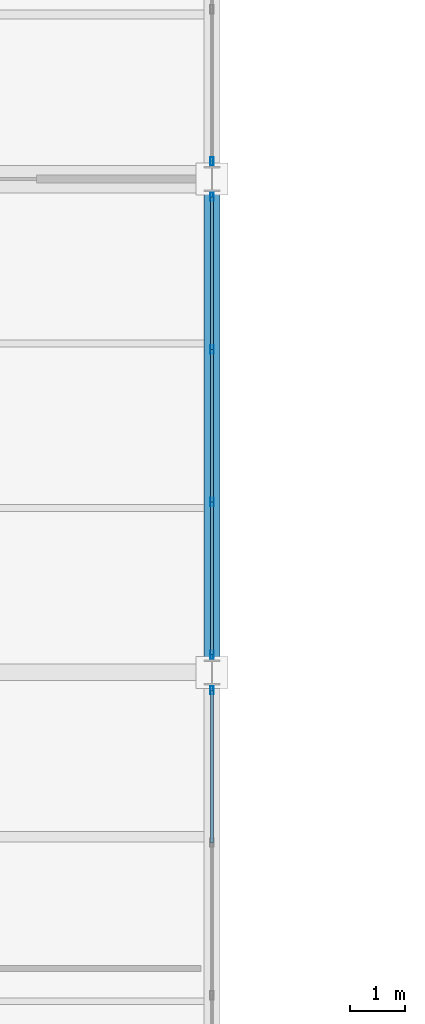
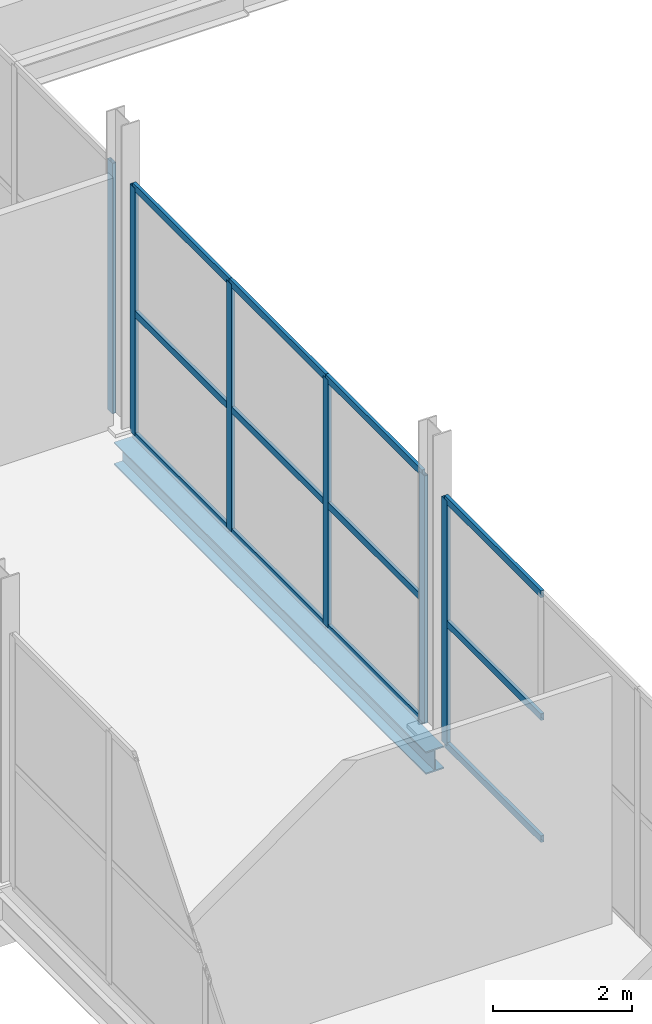
# One storey, part 95 of 147: 18 members, 1 beam, 3 elements without a shape of their own.
"""IFC4 building model written with IfcOpenShell, lengths in metres."""

from ifc_helpers import new_model, si_unit, direction, frame, origin, origin_2d, place, context, subcontext, project, spatial, hollow_rectangle, i_section, extrude, material, layer, layer_set, material_profile, profile_set, type_object, element, aggregate, save


model = new_model("IFC4")

# Units and contexts
model_context = context("Model", 3, precision=1e-05, world=origin(), true_north=direction((0.0, 1.0)))
body_context = subcontext(model_context, "Body", "Model", "MODEL_VIEW")
ifc_project = project(units=[si_unit("LENGTHUNIT", "METRE"), si_unit("AREAUNIT", "SQUARE_METRE"), si_unit("VOLUMEUNIT", "CUBIC_METRE"), si_unit("PLANEANGLEUNIT", "RADIAN"), si_unit("MASSUNIT", "GRAM", prefix="KILO")], contexts=[model_context])

# Site, building, storey
site_placement = place(None, origin())
site = spatial("IfcSite", under=ifc_project, at=site_placement, CompositionType="ELEMENT")
building_placement = place(site_placement, origin())
building = spatial("IfcBuilding", under=site, at=building_placement, Name="Sundgate Opera House", CompositionType="ELEMENT")
storey_placement = place(building_placement, frame((0.0, 0.0, 6.0)))
storey = spatial("IfcBuildingStorey", under=building, at=storey_placement, Name="L01", CompositionType="ELEMENT", Elevation=6.0)

# Beam
ifc_material_1 = material(Name="Steel S355J2", Category="steel")
ifc_material_profile_1 = material_profile(ifc_material_1, i_section(OverallWidth=0.300048828125, OverallDepth=0.39990234375, WebThickness=0.013427734375, FlangeThickness=0.02392578125, at=origin_2d()), Name="HEB 400")
ifc_profile_set_1 = profile_set([ifc_material_profile_1], Name="Steel S355J2")
beam_type = type_object("IfcBeamType", Name="BM-GR-HEB400", PredefinedType="BEAM", material=ifc_profile_set_1)
beam_placement = place(storey_placement, frame((145.800048828125, 51.0, -0.5), z_axis=(0.0, 1.0, 0.0), x_axis=(-1.0, 0.0, 0.0)))
element("IfcBeam", 1, at=beam_placement, inside=storey, type_object=beam_type, Name="L01 Primary N-S Girder B1232", PredefinedType="BEAM", context=body_context, shape_type="SweptSolid", body=[
    extrude(i_section(OverallWidth=0.300048828125, OverallDepth=0.39990234375, WebThickness=0.013427734375, FlangeThickness=0.02392578125, at=origin_2d()), origin(), (0.0, 0.0, 1.0), 9.0),
])

# Curtain wall, member
ifc_material_2 = material(Name="Anodized aluminium and low-iron glass", Category="aluminium")
ifc_layer = layer(ifc_material_2, 0.159912109375)
ifc_layer_set = layer_set([ifc_layer], Name="Anodized aluminium and low-iron glass")
curtain_wall_type = type_object("IfcCurtainWallType", Name="CW-STUDIO-DARK", PredefinedType="NOTDEFINED", material=ifc_layer_set)
curtain_wall_1_placement = place(storey_placement, origin())
curtain_wall_1 = element("IfcCurtainWall", 2, at=curtain_wall_1_placement, inside=storey, type_object=curtain_wall_type, Name="L01 Curtain Wall CW047", PredefinedType="NOTDEFINED")
ifc_material_3 = material(Name="Anodized aluminium EN AW-6063", Category="aluminium")
ifc_material_profile_2 = material_profile(ifc_material_3, hollow_rectangle(XDim=0.06005859375, YDim=0.14990234375, WallThickness=0.00390625, at=origin_2d()), Name="CWM 150x60x4")
ifc_profile_set_2 = profile_set([ifc_material_profile_2], Name="Anodized aluminium EN AW-6063")
member_type_1 = type_object("IfcMemberType", Name="CWM-ALU-150x60", PredefinedType="MULLION", material=ifc_profile_set_2)
member_1_placement = place(storey_placement, frame((145.800048828125, 50.675048828125, 0.0), z_axis=(0.0, 0.0, 1.0), x_axis=(1.0, 0.0, 0.0)))
member_1 = element("IfcMember", 3, at=member_1_placement, type_object=member_type_1, Name="CW047 Mullion 4", PredefinedType="MULLION", context=body_context, shape_type="SweptSolid", body=[
    extrude(hollow_rectangle(XDim=0.06005859375, YDim=0.14990234375, WallThickness=0.00390625, at=origin_2d()), origin(), (0.0, 0.0, 1.0), 4.31494140625),
])

# Curtain wall, members
curtain_wall_2_placement = place(storey_placement, origin())
curtain_wall_2 = element("IfcCurtainWall", 4, at=curtain_wall_2_placement, inside=storey, type_object=curtain_wall_type, Name="L01 Curtain Wall CW049", PredefinedType="NOTDEFINED")
member_2_placement = place(storey_placement, frame((145.800048828125, 51.324951171875, 0.0), z_axis=(0.0, 0.0, 1.0), x_axis=(1.0, 0.0, 0.0)))
member_2 = element("IfcMember", 5, at=member_2_placement, type_object=member_type_1, Name="CW049 Mullion 1", PredefinedType="MULLION", context=body_context, shape_type="SweptSolid", body=[
    extrude(hollow_rectangle(XDim=0.06005859375, YDim=0.14990234375, WallThickness=0.00390625, at=origin_2d()), origin(), (0.0, 0.0, 1.0), 4.364990234375),
])
member_3_placement = place(storey_placement, frame((145.800048828125, 54.1083984375, 0.0), z_axis=(0.0, 0.0, 1.0), x_axis=(1.0, 0.0, 0.0)))
member_3 = element("IfcMember", 6, at=member_3_placement, type_object=member_type_1, Name="CW049 Mullion 2", PredefinedType="MULLION", context=body_context, shape_type="SweptSolid", body=[
    extrude(hollow_rectangle(XDim=0.06005859375, YDim=0.14990234375, WallThickness=0.00390625, at=origin_2d()), origin(), (0.0, 0.0, 1.0), 4.364990234375),
])
member_4_placement = place(storey_placement, frame((145.800048828125, 56.8916015625, 0.0), z_axis=(0.0, 0.0, 1.0), x_axis=(1.0, 0.0, 0.0)))
member_4 = element("IfcMember", 7, at=member_4_placement, type_object=member_type_1, Name="CW049 Mullion 3", PredefinedType="MULLION", context=body_context, shape_type="SweptSolid", body=[
    extrude(hollow_rectangle(XDim=0.06005859375, YDim=0.14990234375, WallThickness=0.00390625, at=origin_2d()), origin(), (0.0, 0.0, 1.0), 4.364990234375),
])
member_5_placement = place(storey_placement, frame((145.800048828125, 59.675048828125, 0.0), z_axis=(0.0, 0.0, 1.0), x_axis=(1.0, 0.0, 0.0)))
member_5 = element("IfcMember", 8, at=member_5_placement, type_object=member_type_1, Name="CW049 Mullion 4", PredefinedType="MULLION", context=body_context, shape_type="SweptSolid", body=[
    extrude(hollow_rectangle(XDim=0.06005859375, YDim=0.14990234375, WallThickness=0.00390625, at=origin_2d()), origin(), (0.0, 0.0, 1.0), 4.364990234375),
])

# Curtain wall, member
curtain_wall_3_placement = place(storey_placement, origin())
curtain_wall_3 = element("IfcCurtainWall", 9, at=curtain_wall_3_placement, inside=storey, type_object=curtain_wall_type, Name="L01 Curtain Wall CW051", PredefinedType="NOTDEFINED")
member_6_placement = place(storey_placement, frame((145.800048828125, 60.324951171875, 0.0), z_axis=(0.0, 0.0, 1.0), x_axis=(1.0, 0.0, 0.0)))
member_6 = element("IfcMember", 10, at=member_6_placement, type_object=member_type_1, Name="CW051 Mullion 1", PredefinedType="MULLION", context=body_context, shape_type="SweptSolid", body=[
    extrude(hollow_rectangle(XDim=0.06005859375, YDim=0.14990234375, WallThickness=0.00390625, at=origin_2d()), origin(), (0.0, 0.0, 1.0), 4.4150390625),
])
aggregate(curtain_wall_3, [member_6])

# Member
ifc_material_4 = material(Name="Anodized aluminium EN AW-6063", Category="aluminium")
ifc_material_profile_3 = material_profile(ifc_material_4, hollow_rectangle(XDim=0.054931640625, YDim=0.1201171875, WallThickness=0.00390625, at=origin_2d()), Name="CWT 120x55x4")
ifc_profile_set_3 = profile_set([ifc_material_profile_3], Name="Anodized aluminium EN AW-6063")
member_type_2 = type_object("IfcMemberType", Name="CWT-ALU-120x55", PredefinedType="USERDEFINED", material=ifc_profile_set_3)
member_7_placement = place(storey_placement, frame((145.800048828125, 47.8916015625, 0.0), z_axis=(0.0, 1.0, 0.0), x_axis=(-1.0, 0.0, 0.0)))
member_7 = element("IfcMember", 11, at=member_7_placement, type_object=member_type_2, Name="CW047 Transom 7", ObjectType="TRANSOM", PredefinedType="USERDEFINED", context=body_context, shape_type="SweptSolid", body=[
    extrude(hollow_rectangle(XDim=0.054931640625, YDim=0.1201171875, WallThickness=0.00390625, at=origin_2d()), origin(), (0.0, 0.0, 1.0), 2.783447265625),
])

member_8_placement = place(storey_placement, frame((145.800048828125, 47.8916015625, 2.14990234375), z_axis=(0.0, 1.0, 0.0), x_axis=(-1.0, 0.0, 0.0)))
member_8 = element("IfcMember", 12, at=member_8_placement, type_object=member_type_2, Name="CW047 Transom 8", ObjectType="TRANSOM", PredefinedType="USERDEFINED", context=body_context, shape_type="SweptSolid", body=[
    extrude(hollow_rectangle(XDim=0.054931640625, YDim=0.1201171875, WallThickness=0.00390625, at=origin_2d()), origin(), (0.0, 0.0, 1.0), 2.783447265625),
])

member_9_placement = place(storey_placement, frame((145.800048828125, 47.8916015625, 4.31494140625), z_axis=(0.0, 1.0, 0.0), x_axis=(-1.0, 0.0, 0.0)))
member_9 = element("IfcMember", 13, at=member_9_placement, type_object=member_type_2, Name="CW047 Transom 9", ObjectType="TRANSOM", PredefinedType="USERDEFINED", context=body_context, shape_type="SweptSolid", body=[
    extrude(hollow_rectangle(XDim=0.054931640625, YDim=0.1201171875, WallThickness=0.00390625, at=origin_2d()), origin(), (0.0, 0.0, 1.0), 2.783447265625),
])

aggregate(curtain_wall_1, [member_1, member_7, member_8, member_9])

member_10_placement = place(storey_placement, frame((145.800048828125, 51.324951171875, 0.0), z_axis=(0.0, 1.0, 0.0), x_axis=(-1.0, 0.0, 0.0)))
member_10 = element("IfcMember", 14, at=member_10_placement, type_object=member_type_2, Name="CW049 Transom 1", ObjectType="TRANSOM", PredefinedType="USERDEFINED", context=body_context, shape_type="SweptSolid", body=[
    extrude(hollow_rectangle(XDim=0.054931640625, YDim=0.1201171875, WallThickness=0.00390625, at=origin_2d()), origin(), (0.0, 0.0, 1.0), 2.783447265625),
])

member_11_placement = place(storey_placement, frame((145.800048828125, 51.324951171875, 2.14990234375), z_axis=(0.0, 1.0, 0.0), x_axis=(-1.0, 0.0, 0.0)))
member_11 = element("IfcMember", 15, at=member_11_placement, type_object=member_type_2, Name="CW049 Transom 2", ObjectType="TRANSOM", PredefinedType="USERDEFINED", context=body_context, shape_type="SweptSolid", body=[
    extrude(hollow_rectangle(XDim=0.054931640625, YDim=0.1201171875, WallThickness=0.00390625, at=origin_2d()), origin(), (0.0, 0.0, 1.0), 2.783447265625),
])

member_12_placement = place(storey_placement, frame((145.800048828125, 51.324951171875, 4.364990234375), z_axis=(0.0, 1.0, 0.0), x_axis=(-1.0, 0.0, 0.0)))
member_12 = element("IfcMember", 16, at=member_12_placement, type_object=member_type_2, Name="CW049 Transom 3", ObjectType="TRANSOM", PredefinedType="USERDEFINED", context=body_context, shape_type="SweptSolid", body=[
    extrude(hollow_rectangle(XDim=0.054931640625, YDim=0.1201171875, WallThickness=0.00390625, at=origin_2d()), origin(), (0.0, 0.0, 1.0), 2.783447265625),
])

member_13_placement = place(storey_placement, frame((145.800048828125, 54.1083984375, 0.0), z_axis=(0.0, 1.0, 0.0), x_axis=(-1.0, 0.0, 0.0)))
member_13 = element("IfcMember", 17, at=member_13_placement, type_object=member_type_2, Name="CW049 Transom 4", ObjectType="TRANSOM", PredefinedType="USERDEFINED", context=body_context, shape_type="SweptSolid", body=[
    extrude(hollow_rectangle(XDim=0.054931640625, YDim=0.1201171875, WallThickness=0.00390625, at=origin_2d()), origin(), (0.0, 0.0, 1.0), 2.783203125),
])

member_14_placement = place(storey_placement, frame((145.800048828125, 54.1083984375, 2.14990234375), z_axis=(0.0, 1.0, 0.0), x_axis=(-1.0, 0.0, 0.0)))
member_14 = element("IfcMember", 18, at=member_14_placement, type_object=member_type_2, Name="CW049 Transom 5", ObjectType="TRANSOM", PredefinedType="USERDEFINED", context=body_context, shape_type="SweptSolid", body=[
    extrude(hollow_rectangle(XDim=0.054931640625, YDim=0.1201171875, WallThickness=0.00390625, at=origin_2d()), origin(), (0.0, 0.0, 1.0), 2.783203125),
])

member_15_placement = place(storey_placement, frame((145.800048828125, 54.1083984375, 4.364990234375), z_axis=(0.0, 1.0, 0.0), x_axis=(-1.0, 0.0, 0.0)))
member_15 = element("IfcMember", 19, at=member_15_placement, type_object=member_type_2, Name="CW049 Transom 6", ObjectType="TRANSOM", PredefinedType="USERDEFINED", context=body_context, shape_type="SweptSolid", body=[
    extrude(hollow_rectangle(XDim=0.054931640625, YDim=0.1201171875, WallThickness=0.00390625, at=origin_2d()), origin(), (0.0, 0.0, 1.0), 2.783203125),
])

member_16_placement = place(storey_placement, frame((145.800048828125, 56.8916015625, 0.0), z_axis=(0.0, 1.0, 0.0), x_axis=(-1.0, 0.0, 0.0)))
member_16 = element("IfcMember", 20, at=member_16_placement, type_object=member_type_2, Name="CW049 Transom 7", ObjectType="TRANSOM", PredefinedType="USERDEFINED", context=body_context, shape_type="SweptSolid", body=[
    extrude(hollow_rectangle(XDim=0.054931640625, YDim=0.1201171875, WallThickness=0.00390625, at=origin_2d()), origin(), (0.0, 0.0, 1.0), 2.783447265625),
])

member_17_placement = place(storey_placement, frame((145.800048828125, 56.8916015625, 2.14990234375), z_axis=(0.0, 1.0, 0.0), x_axis=(-1.0, 0.0, 0.0)))
member_17 = element("IfcMember", 21, at=member_17_placement, type_object=member_type_2, Name="CW049 Transom 8", ObjectType="TRANSOM", PredefinedType="USERDEFINED", context=body_context, shape_type="SweptSolid", body=[
    extrude(hollow_rectangle(XDim=0.054931640625, YDim=0.1201171875, WallThickness=0.00390625, at=origin_2d()), origin(), (0.0, 0.0, 1.0), 2.783447265625),
])

member_18_placement = place(storey_placement, frame((145.800048828125, 56.8916015625, 4.364990234375), z_axis=(0.0, 1.0, 0.0), x_axis=(-1.0, 0.0, 0.0)))
member_18 = element("IfcMember", 22, at=member_18_placement, type_object=member_type_2, Name="CW049 Transom 9", ObjectType="TRANSOM", PredefinedType="USERDEFINED", context=body_context, shape_type="SweptSolid", body=[
    extrude(hollow_rectangle(XDim=0.054931640625, YDim=0.1201171875, WallThickness=0.00390625, at=origin_2d()), origin(), (0.0, 0.0, 1.0), 2.783447265625),
])

aggregate(curtain_wall_2, [member_2, member_3, member_4, member_5, member_10, member_11, member_12, member_13, member_14, member_15, member_16, member_17, member_18])

save(model, "model.ifc")
